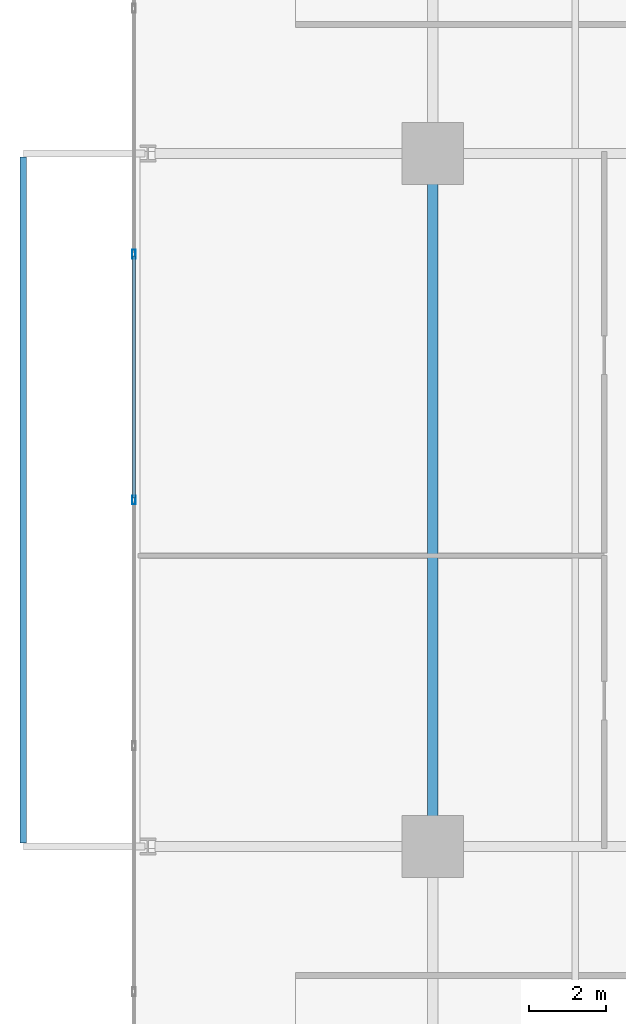
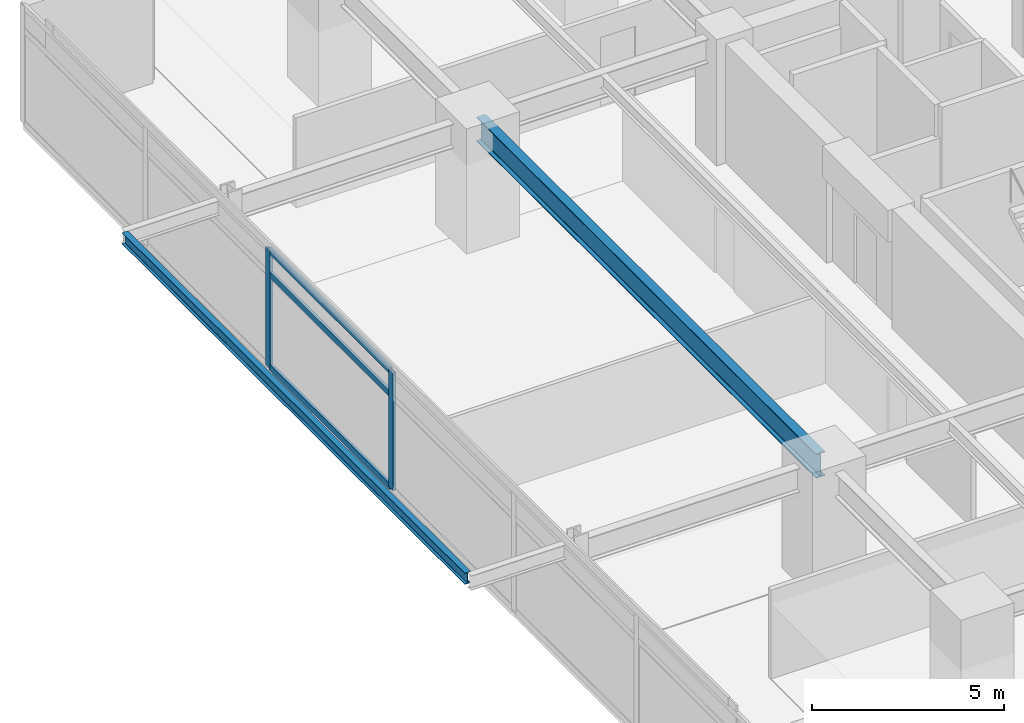
# One storey, part 7 of 24: 5 members, 2 beams, 1 element without a shape of its own.
"""IFC4 building model written with IfcOpenShell, lengths in metres."""

from ifc_helpers import new_model, si_unit, direction, frame, origin, origin_2d, place, context, subcontext, project, spatial, hollow_rectangle, i_section, extrude, material, material_profile, profile_set, type_object, element, aggregate, save


model = new_model("IFC4")

# Units and contexts
model_context = context("Model", 3, precision=1e-05, world=origin(), true_north=direction((0.0, 1.0)))
body_context = subcontext(model_context, "Body", "Model", "MODEL_VIEW")
ifc_project = project(units=[si_unit("LENGTHUNIT", "METRE"), si_unit("AREAUNIT", "SQUARE_METRE"), si_unit("VOLUMEUNIT", "CUBIC_METRE"), si_unit("PLANEANGLEUNIT", "RADIAN"), si_unit("MASSUNIT", "GRAM", prefix="KILO")], contexts=[model_context])

# Site, building, storey
site_placement = place(None, origin())
site = spatial("IfcSite", under=ifc_project, at=site_placement, CompositionType="ELEMENT")
building_placement = place(site_placement, origin())
building = spatial("IfcBuilding", under=site, at=building_placement, Name="Kovane Verandah Tower", CompositionType="ELEMENT")
storey_placement = place(building_placement, frame((0.0, 0.0, 132.39990234375)))
storey = spatial("IfcBuildingStorey", under=building, at=storey_placement, Name="L30", CompositionType="ELEMENT", Elevation=132.39990234375)

# Beam
ifc_material_1 = material(Name="Steel S355", Category="steel")
ifc_material_profile_1 = material_profile(ifc_material_1, i_section(OverallWidth=0.26806640625, OverallDepth=0.769775390625, WebThickness=0.015625, FlangeThickness=0.025390625, FilletRadius=0.0166015625, at=origin_2d()), Name="UB762x267x197")
ifc_profile_set_1 = profile_set([ifc_material_profile_1], Name="Steel S355")
beam_type_1 = type_object("IfcBeamType", Name="BM-UB762x197", PredefinedType="BEAM", material=ifc_profile_set_1)
beam_1_placement = place(storey_placement, frame((21.60009765625, 18.679931640625, 3.39013671875), z_axis=(0.0, 1.0, 0.0), x_axis=(-1.0, 0.0, 0.0)))
element("IfcBeam", 1, at=beam_1_placement, inside=storey, type_object=beam_type_1, Name="L30 Primary Tower Girder G-RW2", PredefinedType="BEAM", context=body_context, shape_type="SweptSolid", body=[
    extrude(i_section(OverallWidth=0.26806640625, OverallDepth=0.769775390625, WebThickness=0.015625, FlangeThickness=0.025390625, FilletRadius=0.0166015625, at=origin_2d()), origin(), (0.0, 0.0, 1.0), 17.64013671875),
])

# Curtain wall, members
ifc_material_2 = material(Name="Champagne Anodised Aluminium Frame with Low-E Clear Laminated Glass", Category="aluminium")
curtain_wall_type = type_object("IfcCurtainWallType", Name="CW-SYS-03-MID", PredefinedType="NOTDEFINED", material=ifc_material_2)
curtain_wall_placement = place(storey_placement, origin())
curtain_wall = element("IfcCurtainWall", 2, at=curtain_wall_placement, inside=storey, type_object=curtain_wall_type, Name="L30 W Unitised Curtain Wall", PredefinedType="NOTDEFINED")
ifc_material_3 = material(Name="Champagne Anodised Aluminium 6063-T6", Category="aluminium")
ifc_material_profile_2 = material_profile(ifc_material_3, hollow_rectangle(XDim=0.0849609375, YDim=0.22998046875, WallThickness=0.00390625, at=origin_2d()), Name="AL85x230x4")
ifc_profile_set_2 = profile_set([ifc_material_profile_2], Name="Champagne Anodised Aluminium 6063-T6")
member_type_1 = type_object("IfcMemberType", Name="CW-MUL-85x230", PredefinedType="MULLION", material=ifc_profile_set_2)
member_1_placement = place(storey_placement, frame((13.837646484375, 33.884521484375, 0.02001953125), z_axis=(0.0, 0.0, 1.0), x_axis=(-1.0, 0.0, 0.0)))
member_1 = element("IfcMember", 3, at=member_1_placement, type_object=member_type_1, Name="L30 W Unitised Curtain Wall Mullion 3", PredefinedType="MULLION", context=body_context, shape_type="SweptSolid", body=[
    extrude(hollow_rectangle(XDim=0.0849609375, YDim=0.22998046875, WallThickness=0.00390625, at=origin_2d()), origin(), (0.0, 0.0, 1.0), 3.735107421875),
])
member_2_placement = place(storey_placement, frame((13.837646484375, 27.5, 0.02001953125), z_axis=(0.0, 0.0, 1.0), x_axis=(-1.0, 0.0, 0.0)))
member_2 = element("IfcMember", 4, at=member_2_placement, type_object=member_type_1, Name="L30 W Unitised Curtain Wall Mullion 4", PredefinedType="MULLION", context=body_context, shape_type="SweptSolid", body=[
    extrude(hollow_rectangle(XDim=0.0849609375, YDim=0.22998046875, WallThickness=0.00390625, at=origin_2d()), origin(), (0.0, 0.0, 1.0), 3.735107421875),
])
ifc_material_profile_3 = material_profile(ifc_material_3, hollow_rectangle(XDim=0.0849609375, YDim=0.18994140625, WallThickness=0.00390625, at=origin_2d()), Name="AL85x190x4")
ifc_profile_set_3 = profile_set([ifc_material_profile_3], Name="Champagne Anodised Aluminium 6063-T6")
member_type_2 = type_object("IfcMemberType", Name="CW-TRN-85x190", PredefinedType="USERDEFINED", material=ifc_profile_set_3)
member_3_placement = place(storey_placement, frame((13.837646484375, 33.834716796875, 0.050048828125), z_axis=(0.0, -1.0, 0.0), x_axis=(1.0, 0.0, 0.0)))
member_3 = element("IfcMember", 5, at=member_3_placement, type_object=member_type_2, Name="L30 W Unitised Curtain Wall Transom TB Bay 3", ObjectType="TRANSOM", PredefinedType="USERDEFINED", context=body_context, shape_type="SweptSolid", body=[
    extrude(hollow_rectangle(XDim=0.0849609375, YDim=0.18994140625, WallThickness=0.00390625, at=origin_2d()), origin(), (0.0, 0.0, 1.0), 6.28466796875),
])
member_4_placement = place(storey_placement, frame((13.837646484375, 33.834716796875, 2.9951171875), z_axis=(0.0, -1.0, 0.0), x_axis=(1.0, 0.0, 0.0)))
member_4 = element("IfcMember", 6, at=member_4_placement, type_object=member_type_2, Name="L30 W Unitised Curtain Wall Transom TM Bay 3", ObjectType="TRANSOM", PredefinedType="USERDEFINED", context=body_context, shape_type="SweptSolid", body=[
    extrude(hollow_rectangle(XDim=0.0849609375, YDim=0.18994140625, WallThickness=0.00390625, at=origin_2d()), origin(), (0.0, 0.0, 1.0), 6.28466796875),
])
member_5_placement = place(storey_placement, frame((13.837646484375, 33.834716796875, 3.72509765625), z_axis=(0.0, -1.0, 0.0), x_axis=(1.0, 0.0, 0.0)))
member_5 = element("IfcMember", 7, at=member_5_placement, type_object=member_type_2, Name="L30 W Unitised Curtain Wall Transom TT Bay 3", ObjectType="TRANSOM", PredefinedType="USERDEFINED", context=body_context, shape_type="SweptSolid", body=[
    extrude(hollow_rectangle(XDim=0.0849609375, YDim=0.18994140625, WallThickness=0.00390625, at=origin_2d()), origin(), (0.0, 0.0, 1.0), 6.28466796875),
])
aggregate(curtain_wall, [member_1, member_2, member_3, member_4, member_5])

# Beam
ifc_material_profile_4 = material_profile(ifc_material_1, i_section(OverallWidth=0.173095703125, OverallDepth=0.36328125, WebThickness=0.009033203125, FlangeThickness=0.015625, FilletRadius=0.01025390625, at=origin_2d()), Name="UB356x171x67")
ifc_profile_set_4 = profile_set([ifc_material_profile_4], Name="Steel S355")
beam_type_2 = type_object("IfcBeamType", Name="SPD-UB356x67", PredefinedType="USERDEFINED", material=ifc_profile_set_4)
beam_2_placement = place(storey_placement, frame((10.963623046875, 18.594482421875, 3.578369140625), z_axis=(0.0, 1.0, 0.0), x_axis=(-1.0, 0.0, 0.0)))
element("IfcBeam", 8, at=beam_2_placement, inside=storey, type_object=beam_type_2, Name="L30 West Planter Edge Spandrel", ObjectType="SPANDREL", PredefinedType="USERDEFINED", context=body_context, shape_type="SweptSolid", body=[
    extrude(i_section(OverallWidth=0.173095703125, OverallDepth=0.36328125, WebThickness=0.009033203125, FlangeThickness=0.015625, FilletRadius=0.01025390625, at=origin_2d()), origin(), (0.0, 0.0, 1.0), 17.81103515625),
])

save(model, "model.ifc")
